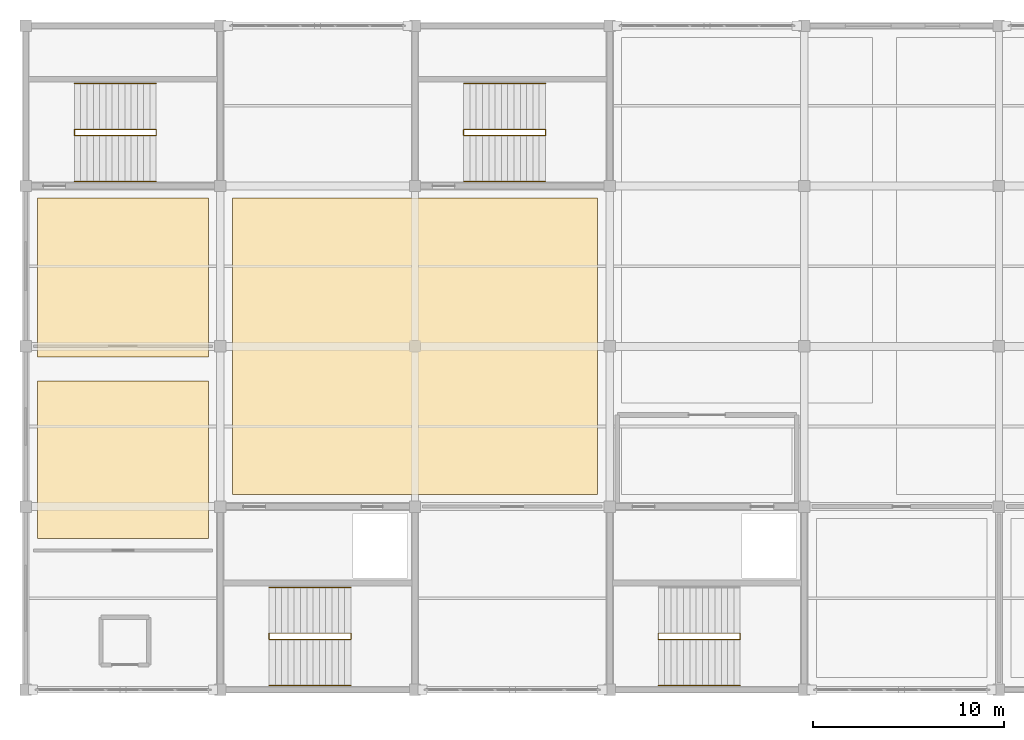
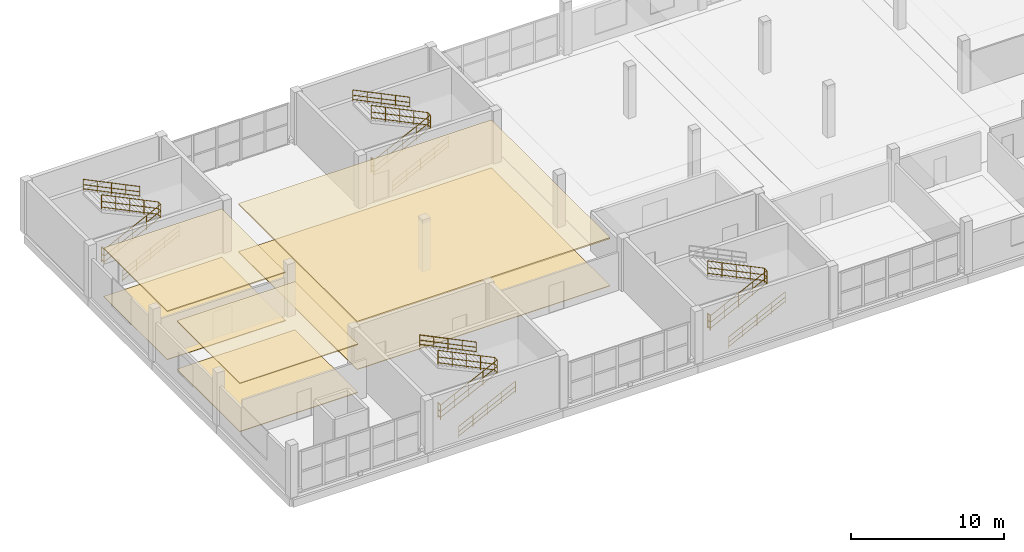
# One storey, part 23 of 24: 15 railings, 6 coverings.
"""IFC4 building model written with IfcOpenShell, lengths in metres."""

from ifc_helpers import new_model, si_unit, direction, frame, origin, origin_2d, place, context, subcontext, project, spatial, polyline, circle, outline, extrude, material, layer, layer_set, type_object, element, save


model = new_model("IFC4")

# Units and contexts
model_context = context("Model", 3, precision=1e-05, world=origin(), true_north=direction((0.0, 1.0)))
body_context = subcontext(model_context, "Body", "Model", "MODEL_VIEW")
ifc_project = project(units=[si_unit("LENGTHUNIT", "METRE"), si_unit("AREAUNIT", "SQUARE_METRE"), si_unit("VOLUMEUNIT", "CUBIC_METRE"), si_unit("PLANEANGLEUNIT", "RADIAN"), si_unit("MASSUNIT", "GRAM", prefix="KILO")], contexts=[model_context])

# Site, building, storey
site_placement = place(None, origin())
site = spatial("IfcSite", under=ifc_project, at=site_placement, CompositionType="ELEMENT")
building_placement = place(site_placement, origin())
building = spatial("IfcBuilding", under=site, at=building_placement, Name="Brelvane Convention Centre", CompositionType="ELEMENT")
storey_placement = place(building_placement, frame((0.0, 0.0, 19.199951171875)))
storey = spatial("IfcBuildingStorey", under=building, at=storey_placement, Name="L04", CompositionType="ELEMENT", Elevation=19.199951171875)

# Coverings
ifc_material_1 = material(Name="Perforated Anodised Aluminium Alloy 6063 Acoustic Baffle", Category="aluminium")
ifc_layer_1 = layer(ifc_material_1, 0.110107421875)
ifc_layer_set_1 = layer_set([ifc_layer_1], Name="Perforated Anodised Aluminium Alloy 6063 Acoustic Baffle")
covering_type_1 = type_object("IfcCoveringType", Name="Interior Finish CL-BAF-110", PredefinedType="CEILING", material=ifc_layer_set_1)
covering_1_placement = place(storey_placement, frame((0.0, 0.0, 3.775146484375)))
element("IfcCovering", 1, at=covering_1_placement, inside=storey, type_object=covering_type_1, Name="Ministerial Roundtable 502 Acoustic Ceiling (CL-BAF-110)", PredefinedType="CEILING", context=body_context, shape_type="SweptSolid", body=[
    extrude(outline(polyline([(10.830078125, 119.429931640625), (29.969970703125, 119.429931640625), (29.969970703125, 134.969970703125), (10.830078125, 134.969970703125), (10.830078125, 119.429931640625)])), origin(), (0.0, 0.0, 1.0), 0.10986328125),
])
ifc_material_2 = material(Name="Perforated Anodised Aluminium Alloy 6063 Acoustic Baffle", Category="aluminium")
ifc_layer_2 = layer(ifc_material_2, 0.074951171875)
ifc_layer_set_2 = layer_set([ifc_layer_2], Name="Perforated Anodised Aluminium Alloy 6063 Acoustic Baffle")
covering_type_2 = type_object("IfcCoveringType", Name="Interior Finish CL-BAF-75", PredefinedType="CEILING", material=ifc_layer_set_2)
covering_2_placement = place(storey_placement, frame((0.0, 0.0, 3.840087890625)))
element("IfcCovering", 2, at=covering_2_placement, inside=storey, type_object=covering_type_2, Name="Meeting Room 501 Acoustic Ceiling (CL-BAF-75)", PredefinedType="CEILING", context=body_context, shape_type="SweptSolid", body=[
    extrude(outline(polyline([(0.6298828125, 117.1298828125), (9.570068359375, 117.1298828125), (9.570068359375, 125.3701171875), (0.6298828125, 125.3701171875), (0.6298828125, 117.1298828125)])), origin(), (0.0, 0.0, 1.0), 0.074951171875),
])
ifc_material_3 = material(Name="Perforated Anodised Aluminium Alloy 6063 Acoustic Baffle", Category="aluminium")
ifc_layer_3 = layer(ifc_material_3, 0.090087890625)
ifc_layer_set_3 = layer_set([ifc_layer_3], Name="Perforated Anodised Aluminium Alloy 6063 Acoustic Baffle")
covering_type_3 = type_object("IfcCoveringType", Name="Interior Finish CL-BAF-90", PredefinedType="CEILING", material=ifc_layer_set_3)
covering_3_placement = place(storey_placement, frame((0.0, 0.0, 3.824951171875)))
element("IfcCovering", 3, at=covering_3_placement, inside=storey, type_object=covering_type_3, Name="Media Briefing Room 2 Acoustic Ceiling (CL-BAF-90)", PredefinedType="CEILING", context=body_context, shape_type="SweptSolid", body=[
    extrude(outline(polyline([(0.6298828125, 126.6298828125), (9.570068359375, 126.6298828125), (9.570068359375, 134.969970703125), (0.6298828125, 134.969970703125), (0.6298828125, 126.6298828125)])), origin(), (0.0, 0.0, 1.0), 0.090087890625),
])
ifc_material_4 = material(Name="Heavy-Duty Quartz-Filled Industrial Epoxy Screed Grade A")
ifc_layer_4 = layer(ifc_material_4, 0.034912109375)
ifc_layer_set_4 = layer_set([ifc_layer_4], Name="Heavy-Duty Quartz-Filled Industrial Epoxy Screed Grade A")
covering_type_4 = type_object("IfcCoveringType", Name="Interior Finish FL-EPX-35", PredefinedType="FLOORING", material=ifc_layer_set_4)
covering_4_placement = place(storey_placement, origin())
element("IfcCovering", 4, at=covering_4_placement, inside=storey, type_object=covering_type_4, Name="Media Briefing Room 2 Floor Finish (FL-EPX-35)", PredefinedType="FLOORING", context=body_context, shape_type="SweptSolid", body=[
    extrude(outline(polyline([(0.6298828125, 126.6298828125), (9.570068359375, 126.6298828125), (9.570068359375, 134.969970703125), (0.6298828125, 134.969970703125), (0.6298828125, 126.6298828125)])), origin(), (0.0, 0.0, 1.0), 0.03515625),
])
ifc_material_5 = material(Name="Heavy-Duty Quartz-Filled Industrial Epoxy Screed Grade A")
ifc_layer_5 = layer(ifc_material_5, 0.044921875)
ifc_layer_set_5 = layer_set([ifc_layer_5], Name="Heavy-Duty Quartz-Filled Industrial Epoxy Screed Grade A")
covering_type_5 = type_object("IfcCoveringType", Name="Interior Finish FL-EPX-45", PredefinedType="FLOORING", material=ifc_layer_set_5)
covering_5_placement = place(storey_placement, origin())
element("IfcCovering", 5, at=covering_5_placement, inside=storey, type_object=covering_type_5, Name="Ministerial Roundtable 502 Floor Finish (FL-EPX-45)", PredefinedType="FLOORING", context=body_context, shape_type="SweptSolid", body=[
    extrude(outline(polyline([(10.830078125, 119.429931640625), (29.969970703125, 119.429931640625), (29.969970703125, 134.969970703125), (10.830078125, 134.969970703125), (10.830078125, 119.429931640625)])), origin(), (0.0, 0.0, 1.0), 0.045166015625),
])
ifc_material_6 = material(Name="Polished Basalt-Aggregate Terrazzo Screed Concrete M30", Category="masonry")
ifc_layer_6 = layer(ifc_material_6, 0.050048828125)
ifc_layer_set_6 = layer_set([ifc_layer_6], Name="Polished Basalt-Aggregate Terrazzo Screed Concrete M30")
covering_type_6 = type_object("IfcCoveringType", Name="Interior Finish FL-TER-50", PredefinedType="FLOORING", material=ifc_layer_set_6)
covering_6_placement = place(storey_placement, origin())
element("IfcCovering", 6, at=covering_6_placement, inside=storey, type_object=covering_type_6, Name="Meeting Room 501 Floor Finish (FL-TER-50)", PredefinedType="FLOORING", context=body_context, shape_type="SweptSolid", body=[
    extrude(outline(polyline([(0.6298828125, 117.1298828125), (9.570068359375, 117.1298828125), (9.570068359375, 125.3701171875), (0.6298828125, 125.3701171875), (0.6298828125, 117.1298828125)])), origin(), (0.0, 0.0, 1.0), 0.050048828125),
])

# Railings
ifc_material_7 = material(Name="Steel E350 (350 MPa)", Category="steel")
railing_type_1 = type_object("IfcRailingType", Name="Stair Railing GR-ST-1", PredefinedType="GUARDRAIL", material=ifc_material_7)
railing_1_placement = place(storey_placement, frame((12.75, 111.840087890625, -0.02001953125)))
element("IfcRailing", 7, at=railing_1_placement, inside=storey, type_object=railing_type_1, Name="Stair ST-06 L04 Inner Well Guard", PredefinedType="GUARDRAIL", context=body_context, shape_type="SweptSolid", body=[
    extrude(circle(Radius=0.02392578125, at=origin_2d()), frame((0.0, 0.0, 1.1259765625), z_axis=(0.896499061709, 0.0, 0.443045632363), x_axis=(0.0, 1.0, 0.0)), (0.0, 0.0, 1.0), 4.785400390625),
    extrude(circle(Radius=0.02392578125, at=origin_2d()), frame((0.0, 0.0, 0.597900390625), z_axis=(0.896499061709, 0.0, 0.443045632363), x_axis=(0.0, 1.0, 0.0)), (0.0, 0.0, 1.0), 4.785400390625),
    extrude(circle(Radius=0.02392578125, at=origin_2d()), frame((0.0, 0.0, 0.139892578125), z_axis=(0.896499061709, 0.0, 0.443045632363), x_axis=(0.0, 1.0, 0.0)), (0.0, 0.0, 1.0), 4.785400390625),
    extrude(circle(Radius=0.02392578125, at=origin_2d()), frame((4.2900390625, 0.0, 3.24609375), z_axis=(0.0, 1.0, 0.0), x_axis=(-1.0, 0.0, 0.0)), (0.0, 0.0, 1.0), 0.31982421875),
    extrude(circle(Radius=0.02392578125, at=origin_2d()), frame((4.2900390625, 0.0, 2.718017578125), z_axis=(0.0, 1.0, 0.0), x_axis=(-1.0, 0.0, 0.0)), (0.0, 0.0, 1.0), 0.31982421875),
    extrude(circle(Radius=0.02392578125, at=origin_2d()), frame((4.2900390625, 0.0, 2.260009765625), z_axis=(0.0, 1.0, 0.0), x_axis=(-1.0, 0.0, 0.0)), (0.0, 0.0, 1.0), 0.31982421875),
    extrude(circle(Radius=0.02392578125, at=origin_2d()), frame((4.2900390625, 0.31982421875, 3.24609375), z_axis=(-0.899829335833, 0.0, 0.43624209606), x_axis=(0.0, -1.0, 0.0)), (0.0, 0.0, 1.0), 4.767578125),
    extrude(circle(Radius=0.02392578125, at=origin_2d()), frame((4.2900390625, 0.31982421875, 2.718017578125), z_axis=(-0.899829335833, 0.0, 0.43624209606), x_axis=(0.0, -1.0, 0.0)), (0.0, 0.0, 1.0), 4.767578125),
    extrude(circle(Radius=0.02392578125, at=origin_2d()), frame((4.2900390625, 0.31982421875, 2.260009765625), z_axis=(-0.899829335833, 0.0, 0.43624209606), x_axis=(0.0, -1.0, 0.0)), (0.0, 0.0, 1.0), 4.767578125),
    extrude(circle(Radius=0.02099609375, at=origin_2d()), origin(), (0.0, 0.0, 1.0), 1.101806640625),
    extrude(circle(Radius=0.02099609375, at=origin_2d()), frame((1.072509765625, 0.0, 0.530029296875)), (0.0, 0.0, 1.0), 1.101806640625),
    extrude(circle(Radius=0.02099609375, at=origin_2d()), frame((2.14501953125, 0.0, 1.06005859375)), (0.0, 0.0, 1.0), 1.101806640625),
    extrude(circle(Radius=0.02099609375, at=origin_2d()), frame((3.217529296875, 0.0, 1.590087890625)), (0.0, 0.0, 1.0), 1.101806640625),
    extrude(circle(Radius=0.02099609375, at=origin_2d()), frame((4.2900390625, 0.0, 2.1201171875)), (0.0, 0.0, 1.0), 1.101806640625),
    extrude(circle(Radius=0.02099609375, at=origin_2d()), frame((4.2900390625, 0.31982421875, 2.1201171875)), (0.0, 0.0, 1.0), 1.101806640625),
    extrude(circle(Radius=0.02099609375, at=origin_2d()), frame((3.217529296875, 0.31982421875, 2.64013671875)), (0.0, 0.0, 1.0), 1.101806640625),
    extrude(circle(Radius=0.02099609375, at=origin_2d()), frame((2.14501953125, 0.31982421875, 3.16015625)), (0.0, 0.0, 1.0), 1.101806640625),
    extrude(circle(Radius=0.02099609375, at=origin_2d()), frame((1.072509765625, 0.31982421875, 3.679931640625)), (0.0, 0.0, 1.0), 1.101806640625),
    extrude(circle(Radius=0.02099609375, at=origin_2d()), frame((0.0, 0.31982421875, 4.199951171875)), (0.0, 0.0, 1.0), 1.101806640625),
])
railing_2_placement = place(storey_placement, frame((33.14990234375, 111.840087890625, -0.02001953125)))
element("IfcRailing", 8, at=railing_2_placement, inside=storey, type_object=railing_type_1, Name="Stair ST-07 L04 Inner Well Guard", PredefinedType="GUARDRAIL", context=body_context, shape_type="SweptSolid", body=[
    extrude(circle(Radius=0.02392578125, at=origin_2d()), frame((0.0, 0.0, 1.1259765625), z_axis=(0.896499061709, 0.0, 0.443045632363), x_axis=(0.0, 1.0, 0.0)), (0.0, 0.0, 1.0), 4.785400390625),
    extrude(circle(Radius=0.02392578125, at=origin_2d()), frame((0.0, 0.0, 0.597900390625), z_axis=(0.896499061709, 0.0, 0.443045632363), x_axis=(0.0, 1.0, 0.0)), (0.0, 0.0, 1.0), 4.785400390625),
    extrude(circle(Radius=0.02392578125, at=origin_2d()), frame((0.0, 0.0, 0.139892578125), z_axis=(0.896499061709, 0.0, 0.443045632363), x_axis=(0.0, 1.0, 0.0)), (0.0, 0.0, 1.0), 4.785400390625),
    extrude(circle(Radius=0.02392578125, at=origin_2d()), frame((4.2900390625, 0.0, 3.24609375), z_axis=(0.0, 1.0, 0.0), x_axis=(-1.0, 0.0, 0.0)), (0.0, 0.0, 1.0), 0.31982421875),
    extrude(circle(Radius=0.02392578125, at=origin_2d()), frame((4.2900390625, 0.0, 2.718017578125), z_axis=(0.0, 1.0, 0.0), x_axis=(-1.0, 0.0, 0.0)), (0.0, 0.0, 1.0), 0.31982421875),
    extrude(circle(Radius=0.02392578125, at=origin_2d()), frame((4.2900390625, 0.0, 2.260009765625), z_axis=(0.0, 1.0, 0.0), x_axis=(-1.0, 0.0, 0.0)), (0.0, 0.0, 1.0), 0.31982421875),
    extrude(circle(Radius=0.02392578125, at=origin_2d()), frame((4.2900390625, 0.31982421875, 3.24609375), z_axis=(-0.899829335833, 0.0, 0.43624209606), x_axis=(0.0, -1.0, 0.0)), (0.0, 0.0, 1.0), 4.767578125),
    extrude(circle(Radius=0.02392578125, at=origin_2d()), frame((4.2900390625, 0.31982421875, 2.718017578125), z_axis=(-0.899829335833, 0.0, 0.43624209606), x_axis=(0.0, -1.0, 0.0)), (0.0, 0.0, 1.0), 4.767578125),
    extrude(circle(Radius=0.02392578125, at=origin_2d()), frame((4.2900390625, 0.31982421875, 2.260009765625), z_axis=(-0.899829335833, 0.0, 0.43624209606), x_axis=(0.0, -1.0, 0.0)), (0.0, 0.0, 1.0), 4.767578125),
    extrude(circle(Radius=0.02099609375, at=origin_2d()), origin(), (0.0, 0.0, 1.0), 1.101806640625),
    extrude(circle(Radius=0.02099609375, at=origin_2d()), frame((1.072509765625, 0.0, 0.530029296875)), (0.0, 0.0, 1.0), 1.101806640625),
    extrude(circle(Radius=0.02099609375, at=origin_2d()), frame((2.14501953125, 0.0, 1.06005859375)), (0.0, 0.0, 1.0), 1.101806640625),
    extrude(circle(Radius=0.02099609375, at=origin_2d()), frame((3.217529296875, 0.0, 1.590087890625)), (0.0, 0.0, 1.0), 1.101806640625),
    extrude(circle(Radius=0.02099609375, at=origin_2d()), frame((4.2900390625, 0.0, 2.1201171875)), (0.0, 0.0, 1.0), 1.101806640625),
    extrude(circle(Radius=0.02099609375, at=origin_2d()), frame((4.2900390625, 0.31982421875, 2.1201171875)), (0.0, 0.0, 1.0), 1.101806640625),
    extrude(circle(Radius=0.02099609375, at=origin_2d()), frame((3.217529296875, 0.31982421875, 2.64013671875)), (0.0, 0.0, 1.0), 1.101806640625),
    extrude(circle(Radius=0.02099609375, at=origin_2d()), frame((2.14501953125, 0.31982421875, 3.16015625)), (0.0, 0.0, 1.0), 1.101806640625),
    extrude(circle(Radius=0.02099609375, at=origin_2d()), frame((1.072509765625, 0.31982421875, 3.679931640625)), (0.0, 0.0, 1.0), 1.101806640625),
    extrude(circle(Radius=0.02099609375, at=origin_2d()), frame((0.0, 0.31982421875, 4.199951171875)), (0.0, 0.0, 1.0), 1.101806640625),
])
railing_3_placement = place(storey_placement, frame((22.949951171875, 138.239990234375, -0.02001953125)))
element("IfcRailing", 9, at=railing_3_placement, inside=storey, type_object=railing_type_1, Name="Stair ST-13 L04 Inner Well Guard", PredefinedType="GUARDRAIL", context=body_context, shape_type="SweptSolid", body=[
    extrude(circle(Radius=0.02392578125, at=origin_2d()), frame((0.0, 0.0, 1.1259765625), z_axis=(0.896499061709, 0.0, 0.443045632363), x_axis=(0.0, 1.0, 0.0)), (0.0, 0.0, 1.0), 4.785400390625),
    extrude(circle(Radius=0.02392578125, at=origin_2d()), frame((0.0, 0.0, 0.597900390625), z_axis=(0.896499061709, 0.0, 0.443045632363), x_axis=(0.0, 1.0, 0.0)), (0.0, 0.0, 1.0), 4.785400390625),
    extrude(circle(Radius=0.02392578125, at=origin_2d()), frame((0.0, 0.0, 0.139892578125), z_axis=(0.896499061709, 0.0, 0.443045632363), x_axis=(0.0, 1.0, 0.0)), (0.0, 0.0, 1.0), 4.785400390625),
    extrude(circle(Radius=0.02392578125, at=origin_2d()), frame((4.2900390625, 0.0, 3.24609375), z_axis=(0.0, 1.0, 0.0), x_axis=(-1.0, 0.0, 0.0)), (0.0, 0.0, 1.0), 0.320068359375),
    extrude(circle(Radius=0.02392578125, at=origin_2d()), frame((4.2900390625, 0.0, 2.718017578125), z_axis=(0.0, 1.0, 0.0), x_axis=(-1.0, 0.0, 0.0)), (0.0, 0.0, 1.0), 0.320068359375),
    extrude(circle(Radius=0.02392578125, at=origin_2d()), frame((4.2900390625, 0.0, 2.260009765625), z_axis=(0.0, 1.0, 0.0), x_axis=(-1.0, 0.0, 0.0)), (0.0, 0.0, 1.0), 0.320068359375),
    extrude(circle(Radius=0.02392578125, at=origin_2d()), frame((4.2900390625, 0.320068359375, 3.24609375), z_axis=(-0.899829335833, 0.0, 0.43624209606), x_axis=(0.0, -1.0, 0.0)), (0.0, 0.0, 1.0), 4.767578125),
    extrude(circle(Radius=0.02392578125, at=origin_2d()), frame((4.2900390625, 0.320068359375, 2.718017578125), z_axis=(-0.899829335833, 0.0, 0.43624209606), x_axis=(0.0, -1.0, 0.0)), (0.0, 0.0, 1.0), 4.767578125),
    extrude(circle(Radius=0.02392578125, at=origin_2d()), frame((4.2900390625, 0.320068359375, 2.260009765625), z_axis=(-0.899829335833, 0.0, 0.43624209606), x_axis=(0.0, -1.0, 0.0)), (0.0, 0.0, 1.0), 4.767578125),
    extrude(circle(Radius=0.02099609375, at=origin_2d()), origin(), (0.0, 0.0, 1.0), 1.101806640625),
    extrude(circle(Radius=0.02099609375, at=origin_2d()), frame((1.072509765625, 0.0, 0.530029296875)), (0.0, 0.0, 1.0), 1.101806640625),
    extrude(circle(Radius=0.02099609375, at=origin_2d()), frame((2.14501953125, 0.0, 1.06005859375)), (0.0, 0.0, 1.0), 1.101806640625),
    extrude(circle(Radius=0.02099609375, at=origin_2d()), frame((3.217529296875, 0.0, 1.590087890625)), (0.0, 0.0, 1.0), 1.101806640625),
    extrude(circle(Radius=0.02099609375, at=origin_2d()), frame((4.2900390625, 0.0, 2.1201171875)), (0.0, 0.0, 1.0), 1.101806640625),
    extrude(circle(Radius=0.02099609375, at=origin_2d()), frame((4.2900390625, 0.320068359375, 2.1201171875)), (0.0, 0.0, 1.0), 1.101806640625),
    extrude(circle(Radius=0.02099609375, at=origin_2d()), frame((3.217529296875, 0.320068359375, 2.64013671875)), (0.0, 0.0, 1.0), 1.101806640625),
    extrude(circle(Radius=0.02099609375, at=origin_2d()), frame((2.14501953125, 0.320068359375, 3.16015625)), (0.0, 0.0, 1.0), 1.101806640625),
    extrude(circle(Radius=0.02099609375, at=origin_2d()), frame((1.072509765625, 0.320068359375, 3.679931640625)), (0.0, 0.0, 1.0), 1.101806640625),
    extrude(circle(Radius=0.02099609375, at=origin_2d()), frame((0.0, 0.320068359375, 4.199951171875)), (0.0, 0.0, 1.0), 1.101806640625),
])
railing_4_placement = place(storey_placement, frame((2.550048828125, 138.239990234375, -0.02001953125)))
element("IfcRailing", 10, at=railing_4_placement, inside=storey, type_object=railing_type_1, Name="Stair ST-17 L04 Inner Well Guard", PredefinedType="GUARDRAIL", context=body_context, shape_type="SweptSolid", body=[
    extrude(circle(Radius=0.02392578125, at=origin_2d()), frame((0.0, 0.0, 1.1259765625), z_axis=(0.896499061709, 0.0, 0.443045632363), x_axis=(0.0, 1.0, 0.0)), (0.0, 0.0, 1.0), 4.785400390625),
    extrude(circle(Radius=0.02392578125, at=origin_2d()), frame((0.0, 0.0, 0.597900390625), z_axis=(0.896499061709, 0.0, 0.443045632363), x_axis=(0.0, 1.0, 0.0)), (0.0, 0.0, 1.0), 4.785400390625),
    extrude(circle(Radius=0.02392578125, at=origin_2d()), frame((0.0, 0.0, 0.139892578125), z_axis=(0.896499061709, 0.0, 0.443045632363), x_axis=(0.0, 1.0, 0.0)), (0.0, 0.0, 1.0), 4.785400390625),
    extrude(circle(Radius=0.02392578125, at=origin_2d()), frame((4.2900390625, 0.0, 3.24609375), z_axis=(0.0, 1.0, 0.0), x_axis=(-1.0, 0.0, 0.0)), (0.0, 0.0, 1.0), 0.320068359375),
    extrude(circle(Radius=0.02392578125, at=origin_2d()), frame((4.2900390625, 0.0, 2.718017578125), z_axis=(0.0, 1.0, 0.0), x_axis=(-1.0, 0.0, 0.0)), (0.0, 0.0, 1.0), 0.320068359375),
    extrude(circle(Radius=0.02392578125, at=origin_2d()), frame((4.2900390625, 0.0, 2.260009765625), z_axis=(0.0, 1.0, 0.0), x_axis=(-1.0, 0.0, 0.0)), (0.0, 0.0, 1.0), 0.320068359375),
    extrude(circle(Radius=0.02392578125, at=origin_2d()), frame((4.2900390625, 0.320068359375, 3.24609375), z_axis=(-0.899829335833, 0.0, 0.43624209606), x_axis=(0.0, -1.0, 0.0)), (0.0, 0.0, 1.0), 4.767578125),
    extrude(circle(Radius=0.02392578125, at=origin_2d()), frame((4.2900390625, 0.320068359375, 2.718017578125), z_axis=(-0.899829335833, 0.0, 0.43624209606), x_axis=(0.0, -1.0, 0.0)), (0.0, 0.0, 1.0), 4.767578125),
    extrude(circle(Radius=0.02392578125, at=origin_2d()), frame((4.2900390625, 0.320068359375, 2.260009765625), z_axis=(-0.899829335833, 0.0, 0.43624209606), x_axis=(0.0, -1.0, 0.0)), (0.0, 0.0, 1.0), 4.767578125),
    extrude(circle(Radius=0.02099609375, at=origin_2d()), origin(), (0.0, 0.0, 1.0), 1.101806640625),
    extrude(circle(Radius=0.02099609375, at=origin_2d()), frame((1.072509765625, 0.0, 0.530029296875)), (0.0, 0.0, 1.0), 1.101806640625),
    extrude(circle(Radius=0.02099609375, at=origin_2d()), frame((2.14501953125, 0.0, 1.06005859375)), (0.0, 0.0, 1.0), 1.101806640625),
    extrude(circle(Radius=0.02099609375, at=origin_2d()), frame((3.217529296875, 0.0, 1.590087890625)), (0.0, 0.0, 1.0), 1.101806640625),
    extrude(circle(Radius=0.02099609375, at=origin_2d()), frame((4.2900390625, 0.0, 2.1201171875)), (0.0, 0.0, 1.0), 1.101806640625),
    extrude(circle(Radius=0.02099609375, at=origin_2d()), frame((4.2900390625, 0.320068359375, 2.1201171875)), (0.0, 0.0, 1.0), 1.101806640625),
    extrude(circle(Radius=0.02099609375, at=origin_2d()), frame((3.217529296875, 0.320068359375, 2.64013671875)), (0.0, 0.0, 1.0), 1.101806640625),
    extrude(circle(Radius=0.02099609375, at=origin_2d()), frame((2.14501953125, 0.320068359375, 3.16015625)), (0.0, 0.0, 1.0), 1.101806640625),
    extrude(circle(Radius=0.02099609375, at=origin_2d()), frame((1.072509765625, 0.320068359375, 3.679931640625)), (0.0, 0.0, 1.0), 1.101806640625),
    extrude(circle(Radius=0.02099609375, at=origin_2d()), frame((0.0, 0.320068359375, 4.199951171875)), (0.0, 0.0, 1.0), 1.101806640625),
])
ifc_material_8 = material(Name="Steel E350 (350 MPa)", Category="steel")
railing_type_2 = type_object("IfcRailingType", Name="Stair Railing GR-ST-2", PredefinedType="GUARDRAIL", material=ifc_material_8)
for number, where, name in (
    (11, (12.75, 111.840087890625, -0.02001953125), "Stair ST-06 L04 Landing Well Guard"),
    (12, (33.14990234375, 111.840087890625, -0.02001953125), "Stair ST-07 L04 Landing Well Guard"),
):
    element("IfcRailing", number, at=place(storey_placement, frame(where)), inside=storey, type_object=railing_type_2, Name=name, PredefinedType="GUARDRAIL", context=body_context, shape_type="SweptSolid", body=[
        extrude(circle(Radius=0.02392578125, at=origin_2d()), frame((0.0, 0.0, 1.15576171875), z_axis=(0.0, 1.0, 0.0), x_axis=(-1.0, 0.0, 0.0)), (0.0, 0.0, 1.0), 0.31982421875),
        extrude(circle(Radius=0.02392578125, at=origin_2d()), frame((0.0, 0.0, 0.613525390625), z_axis=(0.0, 1.0, 0.0), x_axis=(-1.0, 0.0, 0.0)), (0.0, 0.0, 1.0), 0.31982421875),
        extrude(circle(Radius=0.02392578125, at=origin_2d()), frame((0.0, 0.0, 0.139892578125), z_axis=(0.0, 1.0, 0.0), x_axis=(-1.0, 0.0, 0.0)), (0.0, 0.0, 1.0), 0.31982421875),
        extrude(circle(Radius=0.02099609375, at=origin_2d()), origin(), (0.0, 0.0, 1.0), 1.1318359375),
        extrude(circle(Radius=0.02099609375, at=origin_2d()), frame((0.0, 0.31982421875, 0.0)), (0.0, 0.0, 1.0), 1.1318359375),
    ])
for number, where, name in (
    (13, (22.949951171875, 138.239990234375, -0.02001953125), "Stair ST-13 L04 Landing Well Guard"),
    (14, (2.550048828125, 138.239990234375, -0.02001953125), "Stair ST-17 L04 Landing Well Guard"),
):
    element("IfcRailing", number, at=place(storey_placement, frame(where)), inside=storey, type_object=railing_type_2, Name=name, PredefinedType="GUARDRAIL", context=body_context, shape_type="SweptSolid", body=[
        extrude(circle(Radius=0.02392578125, at=origin_2d()), frame((0.0, 0.0, 1.15576171875), z_axis=(0.0, 1.0, 0.0), x_axis=(-1.0, 0.0, 0.0)), (0.0, 0.0, 1.0), 0.320068359375),
        extrude(circle(Radius=0.02392578125, at=origin_2d()), frame((0.0, 0.0, 0.613525390625), z_axis=(0.0, 1.0, 0.0), x_axis=(-1.0, 0.0, 0.0)), (0.0, 0.0, 1.0), 0.320068359375),
        extrude(circle(Radius=0.02392578125, at=origin_2d()), frame((0.0, 0.0, 0.139892578125), z_axis=(0.0, 1.0, 0.0), x_axis=(-1.0, 0.0, 0.0)), (0.0, 0.0, 1.0), 0.320068359375),
        extrude(circle(Radius=0.02099609375, at=origin_2d()), origin(), (0.0, 0.0, 1.0), 1.1318359375),
        extrude(circle(Radius=0.02099609375, at=origin_2d()), frame((0.0, 0.320068359375, 0.0)), (0.0, 0.0, 1.0), 1.1318359375),
    ])
ifc_material_9 = material(Name="Steel E350 (350 MPa)", Category="steel")
railing_type_3 = type_object("IfcRailingType", Name="Stair Railing HR-ST-1", PredefinedType="HANDRAIL", material=ifc_material_9)
railing_5_placement = place(storey_placement, frame((12.75, 109.429931640625, -0.02001953125)))
element("IfcRailing", 15, at=railing_5_placement, inside=storey, type_object=railing_type_3, Name="Stair ST-06 L04 Outer Handrail F1", PredefinedType="HANDRAIL", context=body_context, shape_type="SweptSolid", body=[
    extrude(circle(Radius=0.02392578125, at=origin_2d()), frame((0.0, 0.0, 0.89599609375), z_axis=(0.896499061709, 0.0, 0.443045632363), x_axis=(0.0, 1.0, 0.0)), (0.0, 0.0, 1.0), 4.785400390625),
    extrude(circle(Radius=0.02392578125, at=origin_2d()), frame((0.0, 0.0, 0.478271484375), z_axis=(0.896499061709, 0.0, 0.443045632363), x_axis=(0.0, 1.0, 0.0)), (0.0, 0.0, 1.0), 4.785400390625),
    extrude(circle(Radius=0.02392578125, at=origin_2d()), frame((0.0, 0.0, 0.139892578125), z_axis=(0.896499061709, 0.0, 0.443045632363), x_axis=(0.0, 1.0, 0.0)), (0.0, 0.0, 1.0), 4.785400390625),
    extrude(circle(Radius=0.02099609375, at=origin_2d()), origin(), (0.0, 0.0, 1.0), 0.871826171875),
    extrude(circle(Radius=0.02099609375, at=origin_2d()), frame((1.072509765625, 0.0, 0.530029296875)), (0.0, 0.0, 1.0), 0.871826171875),
    extrude(circle(Radius=0.02099609375, at=origin_2d()), frame((2.14501953125, 0.0, 1.06005859375)), (0.0, 0.0, 1.0), 0.871826171875),
    extrude(circle(Radius=0.02099609375, at=origin_2d()), frame((3.217529296875, 0.0, 1.590087890625)), (0.0, 0.0, 1.0), 0.871826171875),
    extrude(circle(Radius=0.02099609375, at=origin_2d()), frame((4.2900390625, 0.0, 2.1201171875)), (0.0, 0.0, 1.0), 0.871826171875),
])
railing_6_placement = place(storey_placement, frame((17.0400390625, 114.570068359375, 2.10009765625)))
element("IfcRailing", 16, at=railing_6_placement, inside=storey, type_object=railing_type_3, Name="Stair ST-06 L04 Outer Handrail F2", PredefinedType="HANDRAIL", context=body_context, shape_type="SweptSolid", body=[
    extrude(circle(Radius=0.02392578125, at=origin_2d()), frame((0.0, 0.0, 0.89599609375), z_axis=(-0.899829335833, 0.0, 0.43624209606), x_axis=(0.0, -1.0, 0.0)), (0.0, 0.0, 1.0), 4.767578125),
    extrude(circle(Radius=0.02392578125, at=origin_2d()), frame((0.0, 0.0, 0.478271484375), z_axis=(-0.899829335833, 0.0, 0.43624209606), x_axis=(0.0, -1.0, 0.0)), (0.0, 0.0, 1.0), 4.767578125),
    extrude(circle(Radius=0.02392578125, at=origin_2d()), frame((0.0, 0.0, 0.139892578125), z_axis=(-0.899829335833, 0.0, 0.43624209606), x_axis=(0.0, -1.0, 0.0)), (0.0, 0.0, 1.0), 4.767578125),
    extrude(circle(Radius=0.02099609375, at=origin_2d()), origin(), (0.0, 0.0, 1.0), 0.871826171875),
    extrude(circle(Radius=0.02099609375, at=origin_2d()), frame((-1.072509765625, 0.0, 0.52001953125)), (0.0, 0.0, 1.0), 0.871826171875),
    extrude(circle(Radius=0.02099609375, at=origin_2d()), frame((-2.14501953125, 0.0, 1.0400390625)), (0.0, 0.0, 1.0), 0.871826171875),
    extrude(circle(Radius=0.02099609375, at=origin_2d()), frame((-3.217529296875, 0.0, 1.559814453125)), (0.0, 0.0, 1.0), 0.871826171875),
    extrude(circle(Radius=0.02099609375, at=origin_2d()), frame((-4.2900390625, 0.0, 2.079833984375)), (0.0, 0.0, 1.0), 0.871826171875),
])
for number, where, name in (
    (17, (33.14990234375, 109.429931640625, -0.02001953125), "Stair ST-07 L04 Outer Handrail F1"),
    (18, (22.949951171875, 135.830078125, -0.02001953125), "Stair ST-13 L04 Outer Handrail F1"),
):
    element("IfcRailing", number, at=place(storey_placement, frame(where)), inside=storey, type_object=railing_type_3, Name=name, PredefinedType="HANDRAIL", context=body_context, shape_type="SweptSolid", body=[
        extrude(circle(Radius=0.02392578125, at=origin_2d()), frame((0.0, 0.0, 0.89599609375), z_axis=(0.896499061709, 0.0, 0.443045632363), x_axis=(0.0, 1.0, 0.0)), (0.0, 0.0, 1.0), 4.785400390625),
        extrude(circle(Radius=0.02392578125, at=origin_2d()), frame((0.0, 0.0, 0.478271484375), z_axis=(0.896499061709, 0.0, 0.443045632363), x_axis=(0.0, 1.0, 0.0)), (0.0, 0.0, 1.0), 4.785400390625),
        extrude(circle(Radius=0.02392578125, at=origin_2d()), frame((0.0, 0.0, 0.139892578125), z_axis=(0.896499061709, 0.0, 0.443045632363), x_axis=(0.0, 1.0, 0.0)), (0.0, 0.0, 1.0), 4.785400390625),
        extrude(circle(Radius=0.02099609375, at=origin_2d()), origin(), (0.0, 0.0, 1.0), 0.871826171875),
        extrude(circle(Radius=0.02099609375, at=origin_2d()), frame((1.072509765625, 0.0, 0.530029296875)), (0.0, 0.0, 1.0), 0.871826171875),
        extrude(circle(Radius=0.02099609375, at=origin_2d()), frame((2.14501953125, 0.0, 1.06005859375)), (0.0, 0.0, 1.0), 0.871826171875),
        extrude(circle(Radius=0.02099609375, at=origin_2d()), frame((3.217529296875, 0.0, 1.590087890625)), (0.0, 0.0, 1.0), 0.871826171875),
        extrude(circle(Radius=0.02099609375, at=origin_2d()), frame((4.2900390625, 0.0, 2.1201171875)), (0.0, 0.0, 1.0), 0.871826171875),
    ])
railing_7_placement = place(storey_placement, frame((27.239990234375, 140.969970703125, 2.10009765625)))
element("IfcRailing", 19, at=railing_7_placement, inside=storey, type_object=railing_type_3, Name="Stair ST-13 L04 Outer Handrail F2", PredefinedType="HANDRAIL", context=body_context, shape_type="SweptSolid", body=[
    extrude(circle(Radius=0.02392578125, at=origin_2d()), frame((0.0, 0.0, 0.89599609375), z_axis=(-0.899829335833, 0.0, 0.43624209606), x_axis=(0.0, -1.0, 0.0)), (0.0, 0.0, 1.0), 4.767578125),
    extrude(circle(Radius=0.02392578125, at=origin_2d()), frame((0.0, 0.0, 0.478271484375), z_axis=(-0.899829335833, 0.0, 0.43624209606), x_axis=(0.0, -1.0, 0.0)), (0.0, 0.0, 1.0), 4.767578125),
    extrude(circle(Radius=0.02392578125, at=origin_2d()), frame((0.0, 0.0, 0.139892578125), z_axis=(-0.899829335833, 0.0, 0.43624209606), x_axis=(0.0, -1.0, 0.0)), (0.0, 0.0, 1.0), 4.767578125),
    extrude(circle(Radius=0.02099609375, at=origin_2d()), origin(), (0.0, 0.0, 1.0), 0.871826171875),
    extrude(circle(Radius=0.02099609375, at=origin_2d()), frame((-1.072509765625, 0.0, 0.52001953125)), (0.0, 0.0, 1.0), 0.871826171875),
    extrude(circle(Radius=0.02099609375, at=origin_2d()), frame((-2.14501953125, 0.0, 1.0400390625)), (0.0, 0.0, 1.0), 0.871826171875),
    extrude(circle(Radius=0.02099609375, at=origin_2d()), frame((-3.217529296875, 0.0, 1.559814453125)), (0.0, 0.0, 1.0), 0.871826171875),
    extrude(circle(Radius=0.02099609375, at=origin_2d()), frame((-4.2900390625, 0.0, 2.079833984375)), (0.0, 0.0, 1.0), 0.871826171875),
])
railing_8_placement = place(storey_placement, frame((2.550048828125, 135.830078125, -0.02001953125)))
element("IfcRailing", 20, at=railing_8_placement, inside=storey, type_object=railing_type_3, Name="Stair ST-17 L04 Outer Handrail F1", PredefinedType="HANDRAIL", context=body_context, shape_type="SweptSolid", body=[
    extrude(circle(Radius=0.02392578125, at=origin_2d()), frame((0.0, 0.0, 0.89599609375), z_axis=(0.896499061709, 0.0, 0.443045632363), x_axis=(0.0, 1.0, 0.0)), (0.0, 0.0, 1.0), 4.785400390625),
    extrude(circle(Radius=0.02392578125, at=origin_2d()), frame((0.0, 0.0, 0.478271484375), z_axis=(0.896499061709, 0.0, 0.443045632363), x_axis=(0.0, 1.0, 0.0)), (0.0, 0.0, 1.0), 4.785400390625),
    extrude(circle(Radius=0.02392578125, at=origin_2d()), frame((0.0, 0.0, 0.139892578125), z_axis=(0.896499061709, 0.0, 0.443045632363), x_axis=(0.0, 1.0, 0.0)), (0.0, 0.0, 1.0), 4.785400390625),
    extrude(circle(Radius=0.02099609375, at=origin_2d()), origin(), (0.0, 0.0, 1.0), 0.871826171875),
    extrude(circle(Radius=0.02099609375, at=origin_2d()), frame((1.072509765625, 0.0, 0.530029296875)), (0.0, 0.0, 1.0), 0.871826171875),
    extrude(circle(Radius=0.02099609375, at=origin_2d()), frame((2.14501953125, 0.0, 1.06005859375)), (0.0, 0.0, 1.0), 0.871826171875),
    extrude(circle(Radius=0.02099609375, at=origin_2d()), frame((3.217529296875, 0.0, 1.590087890625)), (0.0, 0.0, 1.0), 0.871826171875),
    extrude(circle(Radius=0.02099609375, at=origin_2d()), frame((4.2900390625, 0.0, 2.1201171875)), (0.0, 0.0, 1.0), 0.871826171875),
])
railing_9_placement = place(storey_placement, frame((6.840087890625, 140.969970703125, 2.10009765625)))
element("IfcRailing", 21, at=railing_9_placement, inside=storey, type_object=railing_type_3, Name="Stair ST-17 L04 Outer Handrail F2", PredefinedType="HANDRAIL", context=body_context, shape_type="SweptSolid", body=[
    extrude(circle(Radius=0.02392578125, at=origin_2d()), frame((0.0, 0.0, 0.89599609375), z_axis=(-0.899829335833, 0.0, 0.43624209606), x_axis=(0.0, -1.0, 0.0)), (0.0, 0.0, 1.0), 4.767578125),
    extrude(circle(Radius=0.02392578125, at=origin_2d()), frame((0.0, 0.0, 0.478271484375), z_axis=(-0.899829335833, 0.0, 0.43624209606), x_axis=(0.0, -1.0, 0.0)), (0.0, 0.0, 1.0), 4.767578125),
    extrude(circle(Radius=0.02392578125, at=origin_2d()), frame((0.0, 0.0, 0.139892578125), z_axis=(-0.899829335833, 0.0, 0.43624209606), x_axis=(0.0, -1.0, 0.0)), (0.0, 0.0, 1.0), 4.767578125),
    extrude(circle(Radius=0.02099609375, at=origin_2d()), origin(), (0.0, 0.0, 1.0), 0.871826171875),
    extrude(circle(Radius=0.02099609375, at=origin_2d()), frame((-1.072509765625, 0.0, 0.52001953125)), (0.0, 0.0, 1.0), 0.871826171875),
    extrude(circle(Radius=0.02099609375, at=origin_2d()), frame((-2.14501953125, 0.0, 1.0400390625)), (0.0, 0.0, 1.0), 0.871826171875),
    extrude(circle(Radius=0.02099609375, at=origin_2d()), frame((-3.217529296875, 0.0, 1.559814453125)), (0.0, 0.0, 1.0), 0.871826171875),
    extrude(circle(Radius=0.02099609375, at=origin_2d()), frame((-4.2900390625, 0.0, 2.079833984375)), (0.0, 0.0, 1.0), 0.871826171875),
])

save(model, "model.ifc")
